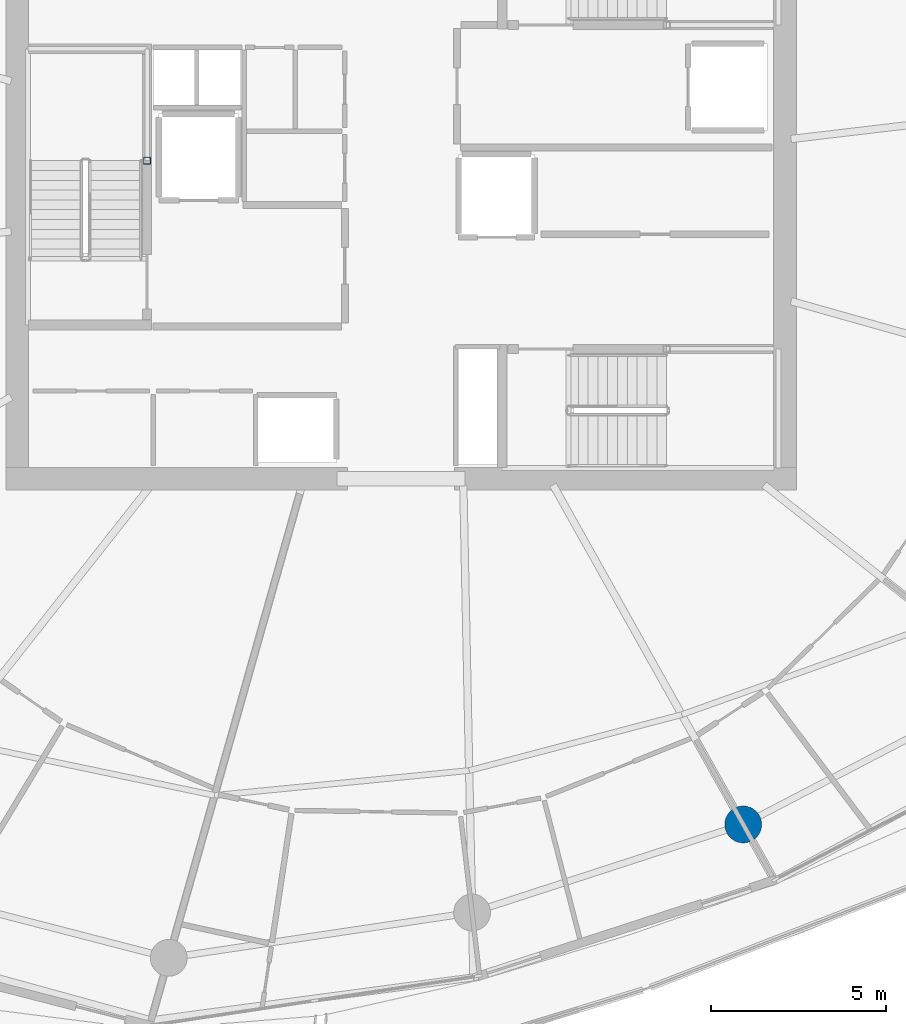
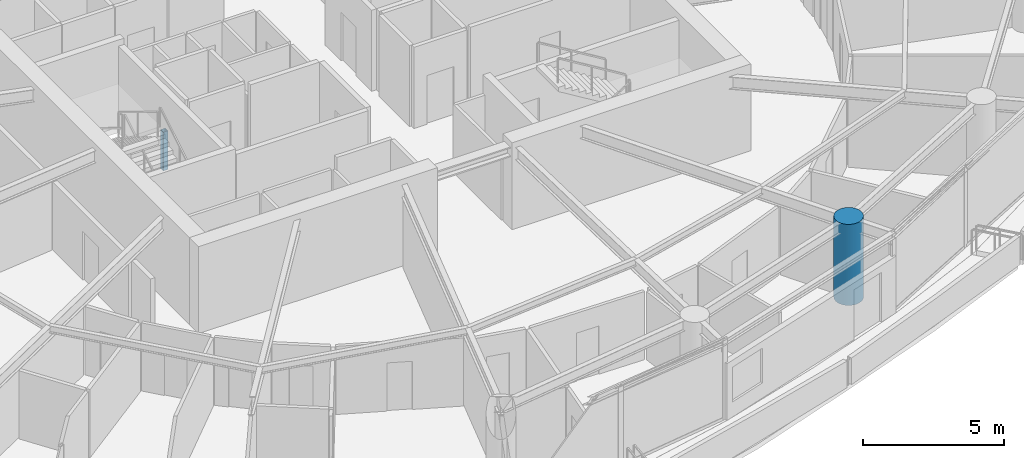
# One storey, part 2 of 21: 2 columns.
"""IFC4 building model written with IfcOpenShell, lengths in metres."""

from ifc_helpers import new_model, si_unit, direction, frame, origin, origin_2d, place, context, subcontext, project, spatial, hollow_rectangle, circle, extrude, material, material_profile, profile_set, type_object, element, save


model = new_model("IFC4")

# Units and contexts
model_context = context("Model", 3, precision=1e-05, world=origin(), true_north=direction((0.0, 1.0)))
body_context = subcontext(model_context, "Body", "Model", "MODEL_VIEW")
ifc_project = project(units=[si_unit("LENGTHUNIT", "METRE"), si_unit("AREAUNIT", "SQUARE_METRE"), si_unit("VOLUMEUNIT", "CUBIC_METRE"), si_unit("PLANEANGLEUNIT", "RADIAN"), si_unit("MASSUNIT", "GRAM", prefix="KILO")], contexts=[model_context])

# Site, building, storey
site_placement = place(None, origin())
site = spatial("IfcSite", under=ifc_project, at=site_placement, CompositionType="ELEMENT")
building_placement = place(site_placement, origin())
building = spatial("IfcBuilding", under=site, at=building_placement, Name="Kazma Halo Residences", CompositionType="ELEMENT")
storey_placement = place(building_placement, frame((0.0, 0.0, 180.300048828125)))
storey = spatial("IfcBuildingStorey", under=building, at=storey_placement, Name="L45", CompositionType="ELEMENT", Elevation=180.300048828125)

# Columns
ifc_material_1 = material(Name="Steel S355", Category="steel")
ifc_material_profile_1 = material_profile(ifc_material_1, hollow_rectangle(XDim=0.199951171875, YDim=0.199951171875, WallThickness=0.010009765625, InnerFilletRadius=0.010009765625, OuterFilletRadius=0.02001953125, at=origin_2d()), Name="SHS200x200x10")
ifc_profile_set_1 = profile_set([ifc_material_profile_1], Name="Steel S355")
column_type_1 = type_object("IfcColumnType", Name="COL-LP-SHS200", PredefinedType="COLUMN", material=ifc_profile_set_1)
column_1_placement = place(storey_placement, frame((41.179931640625, 42.75, 0.0), z_axis=(0.0, 0.0, 1.0), x_axis=(1.0, 0.0, 0.0)))
element("IfcColumn", 1, at=column_1_placement, inside=storey, type_object=column_type_1, Name="L45 ST-01 landing pilaster 1", PredefinedType="COLUMN", context=body_context, shape_type="SweptSolid", body=[
    extrude(hollow_rectangle(XDim=0.199951171875, YDim=0.199951171875, WallThickness=0.010009765625, InnerFilletRadius=0.010009765625, OuterFilletRadius=0.02001953125, at=origin_2d()), origin(), (0.0, 0.0, 1.0), 1.669921875),
])
ifc_material_2 = material(Name="Concrete C80/95", Category="concrete")
ifc_material_profile_2 = material_profile(ifc_material_2, circle(Radius=0.52490234375, at=origin_2d()), Name="CIRC1050")
ifc_profile_set_2 = profile_set([ifc_material_profile_2], Name="Concrete C80/95")
column_type_2 = type_object("IfcColumnType", Name="COL-PERIM-1050", PredefinedType="COLUMN", material=ifc_profile_set_2)
column_2_placement = place(storey_placement, frame((58.184814453125, 23.813720703125, 0.0), z_axis=(0.0, 0.0, 1.0), x_axis=(1.0, 0.0, 0.0)))
element("IfcColumn", 2, at=column_2_placement, inside=storey, type_object=column_type_2, Name="L45 perimeter ring column P13", PredefinedType="COLUMN", context=body_context, shape_type="SweptSolid", body=[
    extrude(circle(Radius=0.52490234375, at=origin_2d()), origin(), (0.0, 0.0, 1.0), 3.5),
])

save(model, "model.ifc")
